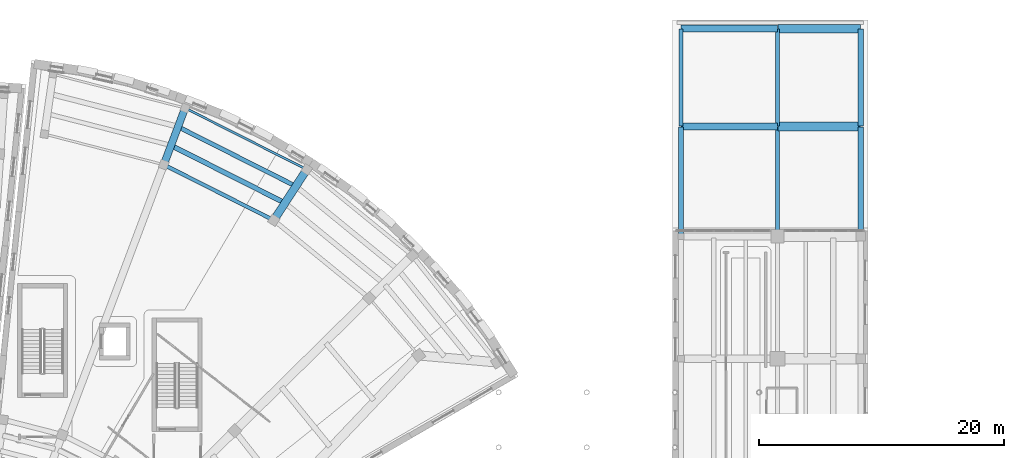
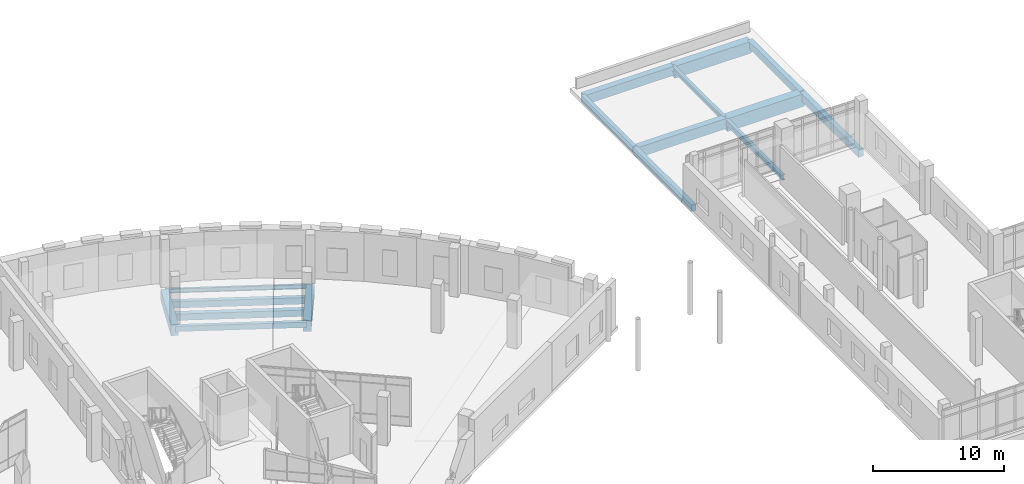
# One storey, part 38 of 89: 16 beams.
"""IFC4 building model written with IfcOpenShell, lengths in metres."""

import ifcopenshell
import ifcopenshell.guid

model = None  # the IFC model being written
_history = None  # IfcOwnerHistory: only IFC2X3 demands one
_inside = {}  # id of a spatial element -> (the spatial element, [elements in it])
_under = {}  # id of a project, library or spatial element -> (it, [spatial elements below it])
_declared = {}  # id of a project -> (the project, [libraries it declares])
_typed = {}  # id of a type object -> (the type object, [elements of that type])
_made_of = {}  # id of a material, layer set ... -> (it, [elements and type objects made of it])


def new_model(schema):
    """Start an empty IFC model of exactly this schema.

    Asked for "IFC4X3", IfcOpenShell would pick the latest addendum, in which some entities
    have other attributes; the version numbers below select the first issue.
    IFC2X3 requires an IfcOwnerHistory on every rooted entity: one is made here for all.
    """
    global model, _history
    if schema == "IFC4X3":
        model = ifcopenshell.file(schema_version=(4, 3, 0, 0))
    else:
        model = ifcopenshell.file(schema=schema)
    _inside.clear()
    _under.clear()
    _declared.clear()
    _typed.clear()
    _made_of.clear()
    _history = None
    if model.schema == "IFC2X3":
        org = make("IfcOrganization", Name="unknown")
        user = make(
            "IfcPersonAndOrganization",
            ThePerson=make("IfcPerson", FamilyName="unknown"),
            TheOrganization=org,
        )
        app = make(
            "IfcApplication",
            ApplicationDeveloper=org,
            Version="unknown",
            ApplicationFullName="unknown",
            ApplicationIdentifier="unknown",
        )
        _history = make(
            "IfcOwnerHistory",
            OwningUser=user,
            OwningApplication=app,
            ChangeAction="ADDED",
            CreationDate=0,
        )
    return model


def make(cls, **values):
    """One entity of the class cls with the attributes given. An attribute that is None is left unset."""
    return model.create_entity(
        cls, **{name: value for name, value in values.items() if value is not None}
    )


def rooted(cls, **values):
    """An entity with a GlobalId (a new one), such as an element, a storey or a relation."""
    return make(cls, GlobalId=ifcopenshell.guid.new(), OwnerHistory=_history, **values)


def si_unit(unit_type, name, prefix=None):
    """IfcSIUnit, for example si_unit("LENGTHUNIT", "METRE", prefix="MILLI")."""
    return make("IfcSIUnit", UnitType=unit_type, Prefix=prefix, Name=name)


def assignment(units):
    """IfcUnitAssignment: the units of a project."""
    return None if units is None else make("IfcUnitAssignment", Units=units)


def point(xyz):
    """IfcCartesianPoint."""
    return None if xyz is None else make("IfcCartesianPoint", Coordinates=xyz)


def direction(xyz):
    """IfcDirection."""
    return None if xyz is None else make("IfcDirection", DirectionRatios=xyz)


def frame(location, z_axis=None, x_axis=None):
    """IfcAxis2Placement3D, a coordinate frame: its origin and axes. An axis left out is left unset."""
    return make(
        "IfcAxis2Placement3D",
        Location=point(location),
        Axis=direction(z_axis),
        RefDirection=direction(x_axis),
    )


def frame_2d(location, x_axis=None):
    """IfcAxis2Placement2D, a coordinate frame in the plane: its origin and x axis."""
    return make(
        "IfcAxis2Placement2D", Location=point(location), RefDirection=direction(x_axis)
    )


def origin():
    """The frame at (0, 0, 0) with its axes left unset."""
    return frame((0.0, 0.0, 0.0))


def origin_2d():
    """The frame at (0, 0) in the plane with its x axis left unset."""
    return frame_2d((0.0, 0.0))


def place(relative_to, where):
    """IfcLocalPlacement: puts the frame where relative to a parent placement (None: the world)."""
    return make(
        "IfcLocalPlacement", PlacementRelTo=relative_to, RelativePlacement=where
    )


def context(
    kind, dimensions, precision=None, world=None, true_north=None, identifier=None
):
    """IfcGeometricRepresentationContext, for example the 3D "Model" context."""
    return make(
        "IfcGeometricRepresentationContext",
        ContextIdentifier=identifier,
        ContextType=kind,
        CoordinateSpaceDimension=dimensions,
        Precision=precision,
        WorldCoordinateSystem=world,
        TrueNorth=true_north,
    )


def subcontext(parent, identifier, kind, view, scale=None):
    """IfcGeometricRepresentationSubContext, for example "Body" below "Model"."""
    return make(
        "IfcGeometricRepresentationSubContext",
        ContextIdentifier=identifier,
        ContextType=kind,
        ParentContext=parent,
        TargetScale=scale,
        TargetView=view,
    )


def project(units=None, contexts=None):
    """IfcProject with its units and contexts."""
    return rooted(
        "IfcProject",
        Name="project",
        RepresentationContexts=contexts,
        UnitsInContext=assignment(units),
    )


def spatial(cls, under=None, at=None, **own):
    """A site, building, storey or space (cls), placed at a placement, below another one or the project."""
    s = rooted(cls, ObjectPlacement=at, **own)
    if under is not None:
        _under.setdefault(under.id(), (under, []))[1].append(s)
    return s


def profile(cls, at=None, kind="AREA", **sizes):
    """A parametric profile (cls). Its sizes go by their IFC names, for example OverallWidth=200.0."""
    return make(cls, ProfileType=kind, Position=at, **sizes)


def rectangle(**sizes):
    """IfcRectangleProfileDef."""
    return profile("IfcRectangleProfileDef", **sizes)


def i_section(**sizes):
    """IfcIShapeProfileDef."""
    return profile("IfcIShapeProfileDef", **sizes)


def extrude(swept, where, along, depth):
    """IfcExtrudedAreaSolid: the profile swept, set in the frame where, extruded along a direction by depth."""
    return make(
        "IfcExtrudedAreaSolid",
        SweptArea=swept,
        Position=where,
        ExtrudedDirection=direction(along),
        Depth=depth,
    )


def shape(context_of_items, identifier, shape_type, items):
    """IfcShapeRepresentation: the items that make up one representation, for example the "Body"."""
    return make(
        "IfcShapeRepresentation",
        ContextOfItems=context_of_items,
        RepresentationIdentifier=identifier,
        RepresentationType=shape_type,
        Items=items,
    )


def material(Name=None, Category=None):
    """IfcMaterial."""
    return make("IfcMaterial", Name=Name, Category=Category)


def material_profile(
    of_material, cross_section, Name=None, Category=None, Priority=None
):
    """IfcMaterialProfile: a cross section and its material."""
    return make(
        "IfcMaterialProfile",
        Name=Name,
        Material=of_material,
        Profile=cross_section,
        Priority=Priority,
        Category=Category,
    )


def profile_set(profiles, Name=None, composite=None):
    """IfcMaterialProfileSet."""
    return make(
        "IfcMaterialProfileSet",
        Name=Name,
        MaterialProfiles=profiles,
        CompositeProfile=composite,
    )


def made_of(thing, what):
    """Note that an element or type object is made of a material, layer set ...; save() writes the relation."""
    if what is not None:
        _made_of.setdefault(what.id(), (what, []))[1].append(thing)
    return thing


def type_object(cls, material=None, **own):
    """A type object (cls), such as IfcWallType, which elements share."""
    return made_of(rooted(cls, **own), material)


def element(
    cls,
    number,
    at=None,
    inside=None,
    cuts=None,
    type_object=None,
    material=None,
    context=None,
    identifier="Body",
    shape_type=None,
    held_by="IfcProductDefinitionShape",
    body=None,
    shapes=None,
    **own,
):
    """One element of the class cls, such as IfcWall. Its Tag is "e" and its number.

    at: its placement. inside: the storey or other place that contains it. cuts: it is an
    opening in that element (IfcRelVoidsElement). A single representation is given by context,
    identifier, shape_type and body (its items); several are given by shapes. held_by: the class
    of the entity that holds the representations. save() writes the other relations.
    """
    e = rooted(cls, Tag="e%d" % number, ObjectPlacement=at, **own)
    if body is not None:
        shapes = [shape(context, identifier, shape_type, body)]
    if shapes is not None:
        e.Representation = make(held_by, Representations=shapes)
    if inside is not None:
        _inside.setdefault(inside.id(), (inside, []))[1].append(e)
    if cuts is not None:
        rooted(
            "IfcRelVoidsElement", RelatingBuildingElement=cuts, RelatedOpeningElement=e
        )
    if type_object is not None:
        _typed.setdefault(type_object.id(), (type_object, []))[1].append(e)
    return made_of(e, material)


def aggregate(whole, parts):
    """IfcRelAggregates: a whole, such as a stair, and the parts it consists of."""
    return rooted("IfcRelAggregates", RelatingObject=whole, RelatedObjects=parts)


def save(model, path):
    """Write the relations noted so far, then the file.

    IfcRelAggregates (storeys below a building ...), IfcRelContainedInSpatialStructure (elements
    in a storey), IfcRelDefinesByType, IfcRelAssociatesMaterial and IfcRelDeclares: one each for
    every whole, place, type object, material and project.
    """
    for whole, parts in _under.values():
        aggregate(whole, parts)
    for where, things in _inside.values():
        rooted(
            "IfcRelContainedInSpatialStructure",
            RelatedElements=things,
            RelatingStructure=where,
        )
    for kind, things in _typed.values():
        rooted("IfcRelDefinesByType", RelatedObjects=things, RelatingType=kind)
    for what, things in _made_of.values():
        rooted("IfcRelAssociatesMaterial", RelatedObjects=things, RelatingMaterial=what)
    for by, libraries in _declared.values():
        rooted("IfcRelDeclares", RelatingContext=by, RelatedDefinitions=libraries)
    model.write(path)


model = new_model("IFC4")

# Units and contexts
model_context = context("Model", 3, precision=1e-05, world=origin(), true_north=direction((0.0, 1.0)))
body_context = subcontext(model_context, "Body", "Model", "MODEL_VIEW")
ifc_project = project(units=[si_unit("LENGTHUNIT", "METRE"), si_unit("AREAUNIT", "SQUARE_METRE"), si_unit("VOLUMEUNIT", "CUBIC_METRE"), si_unit("PLANEANGLEUNIT", "RADIAN"), si_unit("MASSUNIT", "GRAM", prefix="KILO")], contexts=[model_context])

# Site, building, storey
site_placement = place(None, origin())
site = spatial("IfcSite", under=ifc_project, at=site_placement, CompositionType="ELEMENT")
building_placement = place(site_placement, origin())
building = spatial("IfcBuilding", under=site, at=building_placement, Name="Soyqirgoq Riverine Aquarium", CompositionType="ELEMENT")
storey_placement = place(building_placement, frame((0.0, 0.0, 5.39990234375)))
storey = spatial("IfcBuildingStorey", under=building, at=storey_placement, Name="L02", CompositionType="ELEMENT", Elevation=5.39990234375)

# Beams
ifc_material_1 = material(Name="Concrete C40/50", Category="concrete")
ifc_material_profile_1 = material_profile(ifc_material_1, rectangle(XDim=0.35009765625, YDim=0.60009765625, at=origin_2d()), Name="RC 350x600")
ifc_profile_set_1 = profile_set([ifc_material_profile_1], Name="Concrete C40/50")
beam_type_1 = type_object("IfcBeamType", Name="Beam_RC_350x600", PredefinedType="JOIST", material=ifc_profile_set_1)
beam_1_placement = place(storey_placement, frame((83.0888671875, 98.968505859375, -0.599853515625), z_axis=(-0.892589750017, 0.45086975743, 0.0), x_axis=(-0.45086975743, -0.892589750017, 0.0)))
element("IfcBeam", 1, at=beam_1_placement, inside=storey, type_object=beam_type_1, Name="V5 L02 Secondary Floor Joist 0843", PredefinedType="JOIST", context=body_context, shape_type="SweptSolid", body=[
    extrude(rectangle(XDim=0.35009765625, YDim=0.60009765625, at=origin_2d()), origin(), (0.0, 0.0, 1.0), 10.512939453125),
])
beam_2_placement = place(storey_placement, frame((114.699951171875, 103.85009765625, -0.64990234375), z_axis=(0.0, 1.0, 0.0), x_axis=(-1.0, 0.0, 0.0)))
element("IfcBeam", 2, at=beam_2_placement, inside=storey, type_object=beam_type_1, Name="V7 L02 North-South Frame Beam 1299", PredefinedType="JOIST", context=body_context, shape_type="SweptSolid", body=[
    extrude(rectangle(XDim=0.35009765625, YDim=0.60009765625, at=origin_2d()), origin(), (0.0, 0.0, 1.0), 7.89990234375),
])
ifc_material_2 = material(Name="Concrete C40/50", Category="concrete")
ifc_material_profile_2 = material_profile(ifc_material_2, rectangle(XDim=0.39990234375, YDim=0.60009765625, at=origin_2d()), Name="RC 400x600")
ifc_profile_set_2 = profile_set([ifc_material_profile_2], Name="Concrete C40/50")
beam_type_2 = type_object("IfcBeamType", Name="Beam_RC_400x600", PredefinedType="JOIST", material=ifc_profile_set_2)
beam_3_placement = place(storey_placement, frame((82.19921875, 97.5986328125, -0.599853515625), z_axis=(-0.892588619562, 0.450871995392, 0.0), x_axis=(-0.450871995392, -0.892588619562, 0.0)))
element("IfcBeam", 3, at=beam_3_placement, inside=storey, type_object=beam_type_2, Name="V5 L02 Secondary Floor Joist 0842", PredefinedType="JOIST", context=body_context, shape_type="SweptSolid", body=[
    extrude(rectangle(XDim=0.39990234375, YDim=0.60009765625, at=origin_2d()), origin(), (0.0, 0.0, 1.0), 10.159912109375),
])
beam_4_placement = place(storey_placement, frame((114.699951171875, 94.85009765625, -0.64990234375), z_axis=(0.0, 1.0, 0.0), x_axis=(-1.0, 0.0, 0.0)))
element("IfcBeam", 4, at=beam_4_placement, inside=storey, type_object=beam_type_2, Name="V7 L02 North-South Frame Beam 1297", PredefinedType="JOIST", context=body_context, shape_type="SweptSolid", body=[
    extrude(rectangle(XDim=0.39990234375, YDim=0.60009765625, at=origin_2d()), origin(), (0.0, 0.0, 1.0), 8.89990234375),
])
ifc_material_3 = material(Name="Concrete C40/50", Category="concrete")
ifc_material_profile_3 = material_profile(ifc_material_3, rectangle(XDim=0.449951171875, YDim=0.64990234375, at=origin_2d()), Name="RC 450x650")
ifc_profile_set_3 = profile_set([ifc_material_profile_3], Name="Concrete C40/50")
beam_type_3 = type_object("IfcBeamType", Name="Beam_RC_450x650", PredefinedType="BEAM", material=ifc_profile_set_3)
beam_5_placement = place(storey_placement, frame((129.39990234375, 103.85009765625, -0.6748046875), z_axis=(0.0, 1.0, 0.0), x_axis=(-1.0, 0.0, 0.0)))
element("IfcBeam", 5, at=beam_5_placement, inside=storey, type_object=beam_type_3, Name="V7 L02 North-South Frame Beam 1319", PredefinedType="BEAM", context=body_context, shape_type="SweptSolid", body=[
    extrude(rectangle(XDim=0.449951171875, YDim=0.64990234375, at=origin_2d()), origin(), (0.0, 0.0, 1.0), 7.89990234375),
])
ifc_material_4 = material(Name="Concrete C40/50", Category="concrete")
ifc_material_profile_4 = material_profile(ifc_material_4, rectangle(XDim=0.449951171875, YDim=0.699951171875, at=origin_2d()), Name="RC 450x700")
ifc_profile_set_4 = profile_set([ifc_material_profile_4], Name="Concrete C40/50")
beam_type_4 = type_object("IfcBeamType", Name="Beam_RC_450x700", PredefinedType="BEAM", material=ifc_profile_set_4)
beam_6_placement = place(storey_placement, frame((129.39990234375, 94.85009765625, -0.699951171875), z_axis=(0.0, 1.0, 0.0), x_axis=(-1.0, 0.0, 0.0)))
element("IfcBeam", 6, at=beam_6_placement, inside=storey, type_object=beam_type_4, Name="V7 L02 North-South Frame Beam 1318", PredefinedType="BEAM", context=body_context, shape_type="SweptSolid", body=[
    extrude(rectangle(XDim=0.449951171875, YDim=0.699951171875, at=origin_2d()), origin(), (0.0, 0.0, 1.0), 8.89990234375),
])
ifc_material_5 = material(Name="Concrete C40/50", Category="concrete")
ifc_material_profile_5 = material_profile(ifc_material_5, rectangle(XDim=0.550048828125, YDim=0.85009765625, at=origin_2d()), Name="RC 550x850")
ifc_profile_set_5 = profile_set([ifc_material_profile_5], Name="Concrete C40/50")
beam_type_5 = type_object("IfcBeamType", Name="Girder_RC_550x850", PredefinedType="BEAM", material=ifc_profile_set_5)
beam_7_placement = place(storey_placement, frame((114.719970703125, 111.800048828125, -0.77490234375), z_axis=(1.0, 0.0, 0.0), x_axis=(0.0, 1.0, 0.0)))
element("IfcBeam", 7, at=beam_7_placement, inside=storey, type_object=beam_type_5, Name="V7 L02 East-West Frame Girder 1301", PredefinedType="BEAM", context=body_context, shape_type="SweptSolid", body=[
    extrude(rectangle(XDim=0.550048828125, YDim=0.85009765625, at=origin_2d()), origin(), (0.0, 0.0, 1.0), 7.860107421875),
])
ifc_material_6 = material(Name="Concrete C40/50", Category="concrete")
ifc_material_profile_6 = material_profile(ifc_material_6, rectangle(XDim=0.550048828125, YDim=0.949951171875, at=origin_2d()), Name="RC 550x950")
ifc_profile_set_6 = profile_set([ifc_material_profile_6], Name="Concrete C40/50")
beam_type_6 = type_object("IfcBeamType", Name="Girder_RC_550x950", PredefinedType="BEAM", material=ifc_profile_set_6)
beam_8_placement = place(storey_placement, frame((114.719970703125, 103.800048828125, -0.824951171875), z_axis=(1.0, 0.0, 0.0), x_axis=(0.0, 1.0, 0.0)))
element("IfcBeam", 8, at=beam_8_placement, inside=storey, type_object=beam_type_6, Name="V7 L02 East-West Frame Girder 1300", PredefinedType="BEAM", context=body_context, shape_type="SweptSolid", body=[
    extrude(rectangle(XDim=0.550048828125, YDim=0.949951171875, at=origin_2d()), origin(), (0.0, 0.0, 1.0), 7.860107421875),
])
ifc_material_7 = material(Name="Concrete C40/50", Category="concrete")
ifc_material_profile_7 = material_profile(ifc_material_7, rectangle(XDim=0.60009765625, YDim=1.0, at=origin_2d()), Name="RC 600x1000")
ifc_profile_set_7 = profile_set([ifc_material_profile_7], Name="Concrete C40/50")
beam_type_7 = type_object("IfcBeamType", Name="Girder_RC_600x1000", PredefinedType="BEAM", material=ifc_profile_set_7)
beam_9_placement = place(storey_placement, frame((72.430908203125, 100.714111328125, -0.7998046875), z_axis=(0.35186806863, 0.936049604604, 0.0), x_axis=(-0.936049604604, 0.35186806863, 0.0)))
element("IfcBeam", 9, at=beam_9_placement, inside=storey, type_object=beam_type_7, Name="V5 L02 Wedge Radial Girder 0810", PredefinedType="BEAM", context=body_context, shape_type="SweptSolid", body=[
    extrude(rectangle(XDim=0.60009765625, YDim=1.0, at=origin_2d()), origin(), (0.0, 0.0, 1.0), 4.849853515625),
])
ifc_material_8 = material(Name="Concrete C40/50", Category="concrete")
ifc_material_profile_8 = material_profile(ifc_material_8, rectangle(XDim=0.64990234375, YDim=1.0, at=origin_2d()), Name="RC 650x1000")
ifc_profile_set_8 = profile_set([ifc_material_profile_8], Name="Concrete C40/50")
beam_type_8 = type_object("IfcBeamType", Name="Girder_RC_650x1000", PredefinedType="BEAM", material=ifc_profile_set_8)
beam_10_placement = place(storey_placement, frame((81.4345703125, 96.166015625, -0.7998046875), z_axis=(0.544669820921, 0.838650574541, 0.0), x_axis=(-0.838650574541, 0.544669820921, 0.0)))
element("IfcBeam", 10, at=beam_10_placement, inside=storey, type_object=beam_type_8, Name="V5 L02 Wedge Radial Girder 0807", PredefinedType="BEAM", context=body_context, shape_type="SweptSolid", body=[
    extrude(rectangle(XDim=0.64990234375, YDim=1.0, at=origin_2d()), origin(), (0.0, 0.0, 1.0), 4.849853515625),
])
ifc_material_9 = material(Name="Concrete C40/50", Category="concrete")
ifc_material_profile_9 = material_profile(ifc_material_9, rectangle(XDim=0.699951171875, YDim=1.10009765625, at=origin_2d()), Name="RC 700x1100")
ifc_profile_set_9 = profile_set([ifc_material_profile_9], Name="Concrete C40/50")
beam_type_9 = type_object("IfcBeamType", Name="Girder_RC_700x1100", PredefinedType="BEAM", material=ifc_profile_set_9)
beam_11_placement = place(storey_placement, frame((122.6201171875, 111.800048828125, -0.89990234375), z_axis=(1.0, 0.0, 0.0), x_axis=(0.0, 1.0, 0.0)))
element("IfcBeam", 11, at=beam_11_placement, inside=storey, type_object=beam_type_9, Name="V7 L02 East-West Frame Girder 1313", PredefinedType="BEAM", context=body_context, shape_type="SweptSolid", body=[
    extrude(rectangle(XDim=0.699951171875, YDim=1.10009765625, at=origin_2d()), origin(), (0.0, 0.0, 1.0), 6.759765625),
])
ifc_material_10 = material(Name="Concrete C40/50", Category="concrete")
ifc_material_profile_10 = material_profile(ifc_material_10, rectangle(XDim=0.75, YDim=1.199951171875, at=origin_2d()), Name="RC 750x1200")
ifc_profile_set_10 = profile_set([ifc_material_profile_10], Name="Concrete C40/50")
beam_type_10 = type_object("IfcBeamType", Name="Girder_RC_750x1200", PredefinedType="BEAM", material=ifc_profile_set_10)
beam_12_placement = place(storey_placement, frame((122.6201171875, 103.800048828125, -0.949951171875), z_axis=(1.0, 0.0, 0.0), x_axis=(0.0, 1.0, 0.0)))
element("IfcBeam", 12, at=beam_12_placement, inside=storey, type_object=beam_type_10, Name="V7 L02 East-West Frame Girder 1312", PredefinedType="BEAM", context=body_context, shape_type="SweptSolid", body=[
    extrude(rectangle(XDim=0.75, YDim=1.199951171875, at=origin_2d()), origin(), (0.0, 0.0, 1.0), 6.759765625),
])
ifc_material_11 = material(Name="Concrete C40/50", Category="concrete")
ifc_material_profile_11 = material_profile(ifc_material_11, rectangle(XDim=0.300048828125, YDim=0.5, at=origin_2d()), Name="RC 300x500")
ifc_profile_set_11 = profile_set([ifc_material_profile_11], Name="Concrete C40/50")
beam_type_11 = type_object("IfcBeamType", Name="Spandrel_RC_300x500", PredefinedType="SPANDREL", material=ifc_profile_set_11)
beam_13_placement = place(storey_placement, frame((81.36279296875, 96.146484375, -0.5498046875), z_axis=(-0.892579349445, 0.450890346919, 0.0), x_axis=(-0.450890346919, -0.892579349445, 0.0)))
element("IfcBeam", 13, at=beam_13_placement, inside=storey, type_object=beam_type_11, Name="V5 L02 Wedge Chord Beam 0836", PredefinedType="SPANDREL", context=body_context, shape_type="SweptSolid", body=[
    extrude(rectangle(XDim=0.300048828125, YDim=0.5, at=origin_2d()), origin(), (0.0, 0.0, 1.0), 9.9765625),
])
ifc_material_12 = material(Name="Structural steel S355", Category="steel")
ifc_material_profile_12 = material_profile(ifc_material_12, i_section(OverallWidth=0.179931640625, OverallDepth=0.39990234375, WebThickness=0.008544921875, FlangeThickness=0.013427734375, FilletRadius=0.02099609375, at=origin_2d()), Name="IPE 400")
ifc_profile_set_12 = profile_set([ifc_material_profile_12], Name="Structural steel S355")
beam_type_12 = type_object("IfcBeamType", Name="Spandrel_Steel_IPE400", PredefinedType="SPANDREL", material=ifc_profile_set_12)
beam_14_placement = place(storey_placement, frame((84.058837890625, 100.2978515625, -0.5), z_axis=(-0.892576221627, 0.450896538672, 0.0), x_axis=(-0.450896538672, -0.892576221627, 0.0)))
element("IfcBeam", 14, at=beam_14_placement, inside=storey, type_object=beam_type_12, Name="V5 L02 Wedge Chord Beam 0848", PredefinedType="SPANDREL", context=body_context, shape_type="SweptSolid", body=[
    extrude(i_section(OverallWidth=0.179931640625, OverallDepth=0.39990234375, WebThickness=0.008544921875, FlangeThickness=0.013427734375, FilletRadius=0.02099609375, at=origin_2d()), origin(), (0.0, 0.0, 1.0), 11.045654296875),
])
ifc_material_13 = material(Name="Structural steel S355", Category="steel")
ifc_material_profile_13 = material_profile(ifc_material_13, i_section(OverallWidth=0.300048828125, OverallDepth=0.43994140625, WebThickness=0.011474609375, FlangeThickness=0.02099609375, FilletRadius=0.027099609375, at=origin_2d()), Name="HEA 450")
ifc_profile_set_13 = profile_set([ifc_material_profile_13], Name="Structural steel S355")
beam_type_13 = type_object("IfcBeamType", Name="SteelBeam_HEA450", PredefinedType="BEAM", material=ifc_profile_set_13)
beam_15_placement = place(storey_placement, frame((122.60009765625, 103.85009765625, -0.56982421875), z_axis=(0.0, 1.0, 0.0), x_axis=(-1.0, 0.0, 0.0)))
element("IfcBeam", 15, at=beam_15_placement, inside=storey, type_object=beam_type_13, Name="V7 L02 North-South Frame Beam 1311", PredefinedType="BEAM", context=body_context, shape_type="SweptSolid", body=[
    extrude(i_section(OverallWidth=0.300048828125, OverallDepth=0.43994140625, WebThickness=0.011474609375, FlangeThickness=0.02099609375, FilletRadius=0.027099609375, at=origin_2d()), origin(), (0.0, 0.0, 1.0), 7.89990234375),
])
ifc_material_14 = material(Name="Structural steel S355", Category="steel")
ifc_material_profile_14 = material_profile(ifc_material_14, i_section(OverallWidth=0.300048828125, OverallDepth=0.489990234375, WebThickness=0.011962890625, FlangeThickness=0.02294921875, FilletRadius=0.027099609375, at=origin_2d()), Name="HEA 500")
ifc_profile_set_14 = profile_set([ifc_material_profile_14], Name="Structural steel S355")
beam_type_14 = type_object("IfcBeamType", Name="SteelBeam_HEA500", PredefinedType="BEAM", material=ifc_profile_set_14)
beam_16_placement = place(storey_placement, frame((122.60009765625, 94.85009765625, -0.594970703125), z_axis=(0.0, 1.0, 0.0), x_axis=(-1.0, 0.0, 0.0)))
element("IfcBeam", 16, at=beam_16_placement, inside=storey, type_object=beam_type_14, Name="V7 L02 North-South Frame Beam 1309", PredefinedType="BEAM", context=body_context, shape_type="SweptSolid", body=[
    extrude(i_section(OverallWidth=0.300048828125, OverallDepth=0.489990234375, WebThickness=0.011962890625, FlangeThickness=0.02294921875, FilletRadius=0.027099609375, at=origin_2d()), origin(), (0.0, 0.0, 1.0), 8.89990234375),
])

save(model, "model.ifc")
